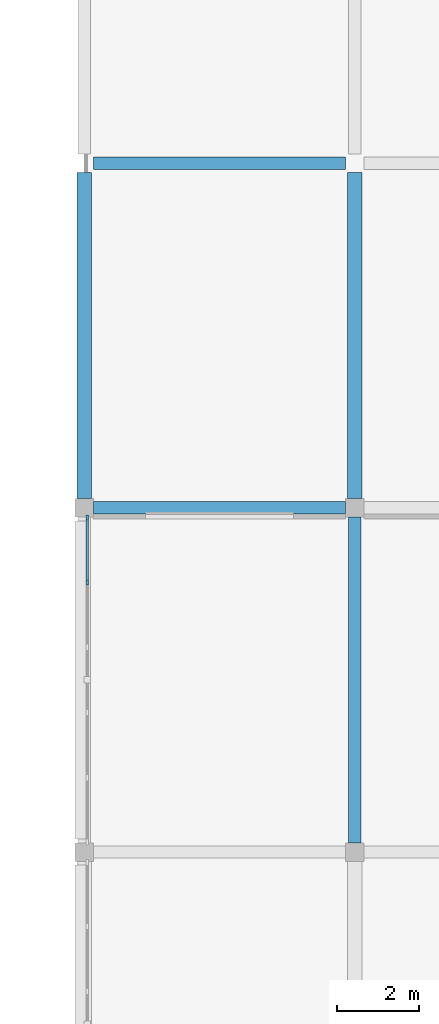
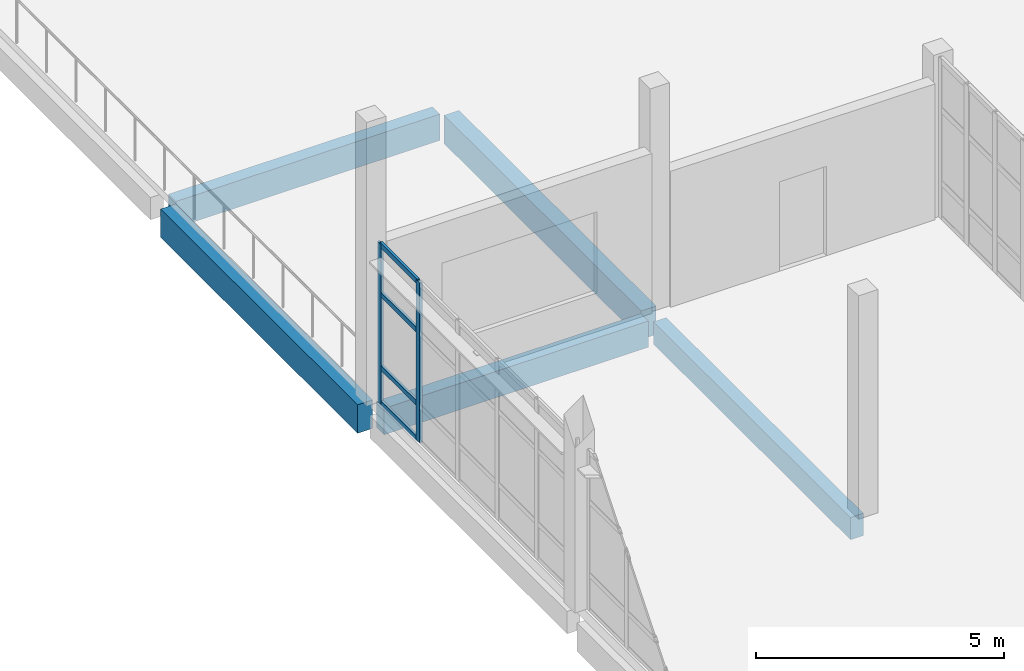
# One storey, part 36 of 78: 6 members, 5 beams, 1 element without a shape of its own.
"""IFC4 building model written with IfcOpenShell, lengths in metres."""

from ifc_helpers import new_model, si_unit, direction, frame, origin, origin_2d, place, context, subcontext, project, spatial, rectangle, extrude, material, material_profile, profile_set, type_object, element, aggregate, save


model = new_model("IFC4")

# Units and contexts
model_context = context("Model", 3, precision=1e-05, world=origin(), true_north=direction((0.0, 1.0)))
body_context = subcontext(model_context, "Body", "Model", "MODEL_VIEW")
ifc_project = project(units=[si_unit("LENGTHUNIT", "METRE"), si_unit("AREAUNIT", "SQUARE_METRE"), si_unit("VOLUMEUNIT", "CUBIC_METRE"), si_unit("PLANEANGLEUNIT", "RADIAN"), si_unit("MASSUNIT", "GRAM", prefix="KILO")], contexts=[model_context])

# Site, building, storey
site_placement = place(None, origin())
site = spatial("IfcSite", under=ifc_project, at=site_placement, CompositionType="ELEMENT")
building_placement = place(site_placement, origin())
building = spatial("IfcBuilding", under=site, at=building_placement, Name="Qaldarim Faculty of Natural and Applied Sciences", CompositionType="ELEMENT")
storey_placement = place(building_placement, frame((0.0, 0.0, 18.60009765625)))
storey = spatial("IfcBuildingStorey", under=building, at=storey_placement, Name="L04", CompositionType="ELEMENT", Elevation=18.60009765625)

# Beam
ifc_material_1 = material(Name="Concrete C40/50", Category="concrete")
ifc_material_profile_1 = material_profile(ifc_material_1, rectangle(XDim=0.300048828125, YDim=0.550048828125, at=origin_2d()), Name="RC-B300x550")
ifc_profile_set_1 = profile_set([ifc_material_profile_1], Name="Concrete C40/50")
beam_type_1 = type_object("IfcBeamType", Name="FloorBeam-RC300x550", PredefinedType="BEAM", material=ifc_profile_set_1)
beam_placement = place(storey_placement, frame((158.39990234375, 92.625, -0.53515625), z_axis=(0.0, 1.0, 0.0), x_axis=(-1.0, 0.0, 0.0)))
element("IfcBeam", 1, at=beam_placement, inside=storey, type_object=beam_type_1, Name="Beam RC-B300x550 L03 X25/Y12-Y13", PredefinedType="BEAM", context=body_context, shape_type="SweptSolid", body=[
    extrude(rectangle(XDim=0.300048828125, YDim=0.550048828125, at=origin_2d()), origin(), (0.0, 0.0, 1.0), 7.949951171875),
])

# Curtain wall, members
ifc_material_2 = material(Name="Anodised aluminium AW-6063", Category="aluminium")
curtain_wall_type = type_object("IfcCurtainWallType", Name="CurtainWallSystem-M1600", PredefinedType="USERDEFINED", material=ifc_material_2)
curtain_wall_placement = place(storey_placement, origin())
curtain_wall = element("IfcCurtainWall", 2, at=curtain_wall_placement, inside=storey, type_object=curtain_wall_type, Name="Curtain wall CW-L04-W-X24Y12", ObjectType="UNITISED FACADE", PredefinedType="USERDEFINED")
ifc_material_profile_2 = material_profile(ifc_material_2, rectangle(XDim=0.06005859375, YDim=0.14990234375, at=origin_2d()), Name="ALU-M60x150")
ifc_profile_set_2 = profile_set([ifc_material_profile_2], Name="Anodised aluminium AW-6063")
member_type_1 = type_object("IfcMemberType", Name="Mullion-ALU60x150", PredefinedType="MULLION", material=ifc_profile_set_2)
member_1_placement = place(storey_placement, frame((151.8798828125, 100.550048828125, 0.0), z_axis=(0.0, 0.0, 1.0), x_axis=(1.0, 0.0, 0.0)))
member_1 = element("IfcMember", 3, at=member_1_placement, type_object=member_type_1, Name="Mullion 1 of CW-L04-W-X24Y12", PredefinedType="MULLION", context=body_context, shape_type="SweptSolid", body=[
    extrude(rectangle(XDim=0.06005859375, YDim=0.14990234375, at=origin_2d()), origin(), (0.0, 0.0, 1.0), 3.93994140625),
])
member_2_placement = place(storey_placement, frame((151.8798828125, 98.988037109375, 0.0), z_axis=(0.0, 0.0, 1.0), x_axis=(1.0, 0.0, 0.0)))
member_2 = element("IfcMember", 4, at=member_2_placement, type_object=member_type_1, Name="Mullion 2 of CW-L04-W-X24Y12", PredefinedType="MULLION", context=body_context, shape_type="SweptSolid", body=[
    extrude(rectangle(XDim=0.06005859375, YDim=0.14990234375, at=origin_2d()), origin(), (0.0, 0.0, 1.0), 3.93994140625),
])

# Beams
ifc_material_profile_3 = material_profile(ifc_material_1, rectangle(XDim=0.300048828125, YDim=0.64990234375, at=origin_2d()), Name="RC-B300x650")
ifc_profile_set_3 = profile_set([ifc_material_profile_3], Name="Concrete C40/50")
beam_type_2 = type_object("IfcBeamType", Name="PrimaryBeam-RC300x650", PredefinedType="BEAM", material=ifc_profile_set_3)
for number, where, z_axis, x_axis, name in (
    (5, (152.02490234375, 100.800048828125, -0.585205078125), (1.0, 0.0, 0.0), (0.0, 1.0, 0.0), "Beam RC-B300x650 L03 X24-X25/Y13"),
    (6, (152.02490234375, 109.199951171875, -0.585205078125), (1.0, 0.0, 0.0), (0.0, 1.0, 0.0), "Beam RC-B300x650 L03 X24-X25/Y14"),
):
    element("IfcBeam", number, at=place(storey_placement, frame(where, z_axis=z_axis, x_axis=x_axis)), inside=storey, type_object=beam_type_2, Name=name, PredefinedType="BEAM", context=body_context, shape_type="SweptSolid", body=[
        extrude(rectangle(XDim=0.300048828125, YDim=0.64990234375, at=origin_2d()), origin(), (0.0, 0.0, 1.0), 6.150146484375),
    ])
ifc_material_profile_4 = material_profile(ifc_material_1, rectangle(XDim=0.35009765625, YDim=0.699951171875, at=origin_2d()), Name="RC-B350x700")
ifc_profile_set_4 = profile_set([ifc_material_profile_4], Name="Concrete C40/50")
beam_type_3 = type_object("IfcBeamType", Name="PrimaryGirder-RC350x700", PredefinedType="BEAM", material=ifc_profile_set_4)
for number, where, z_axis, x_axis, name in (
    (7, (151.800048828125, 101.02490234375, -0.610107421875), (0.0, 1.0, 0.0), (-1.0, 0.0, 0.0), "Beam RC-B350x700 L03 X24/Y13-Y14"),
    (8, (158.39990234375, 101.02490234375, -0.610107421875), (0.0, 1.0, 0.0), (-1.0, 0.0, 0.0), "Beam RC-B350x700 L03 X25/Y13-Y14"),
):
    element("IfcBeam", number, at=place(storey_placement, frame(where, z_axis=z_axis, x_axis=x_axis)), inside=storey, type_object=beam_type_3, Name=name, PredefinedType="BEAM", context=body_context, shape_type="SweptSolid", body=[
        extrude(rectangle(XDim=0.35009765625, YDim=0.699951171875, at=origin_2d()), origin(), (0.0, 0.0, 1.0), 7.9501953125),
    ])

# Member
ifc_material_profile_5 = material_profile(ifc_material_2, rectangle(XDim=0.06005859375, YDim=0.1201171875, at=origin_2d()), Name="ALU-T60x120")
ifc_profile_set_5 = profile_set([ifc_material_profile_5], Name="Anodised aluminium AW-6063")
member_type_2 = type_object("IfcMemberType", Name="Transom-ALU60x120", PredefinedType="USERDEFINED", material=ifc_profile_set_5)
member_3_placement = place(storey_placement, frame((151.8798828125, 100.52001953125, 0.02978515625), z_axis=(0.0, -1.0, 0.0), x_axis=(1.0, 0.0, 0.0)))
member_3 = element("IfcMember", 9, at=member_3_placement, type_object=member_type_2, Name="Transom 1-1 of CW-L04-W-X24Y12", ObjectType="TRANSOM", PredefinedType="USERDEFINED", context=body_context, shape_type="SweptSolid", body=[
    extrude(rectangle(XDim=0.06005859375, YDim=0.1201171875, at=origin_2d()), origin(), (0.0, 0.0, 1.0), 1.501953125),
])

member_4_placement = place(storey_placement, frame((151.8798828125, 100.52001953125, 0.89990234375), z_axis=(0.0, -1.0, 0.0), x_axis=(1.0, 0.0, 0.0)))
member_4 = element("IfcMember", 10, at=member_4_placement, type_object=member_type_2, Name="Transom 1-2 of CW-L04-W-X24Y12", ObjectType="TRANSOM", PredefinedType="USERDEFINED", context=body_context, shape_type="SweptSolid", body=[
    extrude(rectangle(XDim=0.06005859375, YDim=0.1201171875, at=origin_2d()), origin(), (0.0, 0.0, 1.0), 1.501953125),
])

member_5_placement = place(storey_placement, frame((151.8798828125, 100.52001953125, 2.699951171875), z_axis=(0.0, -1.0, 0.0), x_axis=(1.0, 0.0, 0.0)))
member_5 = element("IfcMember", 11, at=member_5_placement, type_object=member_type_2, Name="Transom 1-3 of CW-L04-W-X24Y12", ObjectType="TRANSOM", PredefinedType="USERDEFINED", context=body_context, shape_type="SweptSolid", body=[
    extrude(rectangle(XDim=0.06005859375, YDim=0.1201171875, at=origin_2d()), origin(), (0.0, 0.0, 1.0), 1.501953125),
])

member_6_placement = place(storey_placement, frame((151.8798828125, 100.52001953125, 3.909912109375), z_axis=(0.0, -1.0, 0.0), x_axis=(1.0, 0.0, 0.0)))
member_6 = element("IfcMember", 12, at=member_6_placement, type_object=member_type_2, Name="Transom 1-4 of CW-L04-W-X24Y12", ObjectType="TRANSOM", PredefinedType="USERDEFINED", context=body_context, shape_type="SweptSolid", body=[
    extrude(rectangle(XDim=0.06005859375, YDim=0.1201171875, at=origin_2d()), origin(), (0.0, 0.0, 1.0), 1.501953125),
])

aggregate(curtain_wall, [member_1, member_2, member_3, member_4, member_5, member_6])

save(model, "model.ifc")
